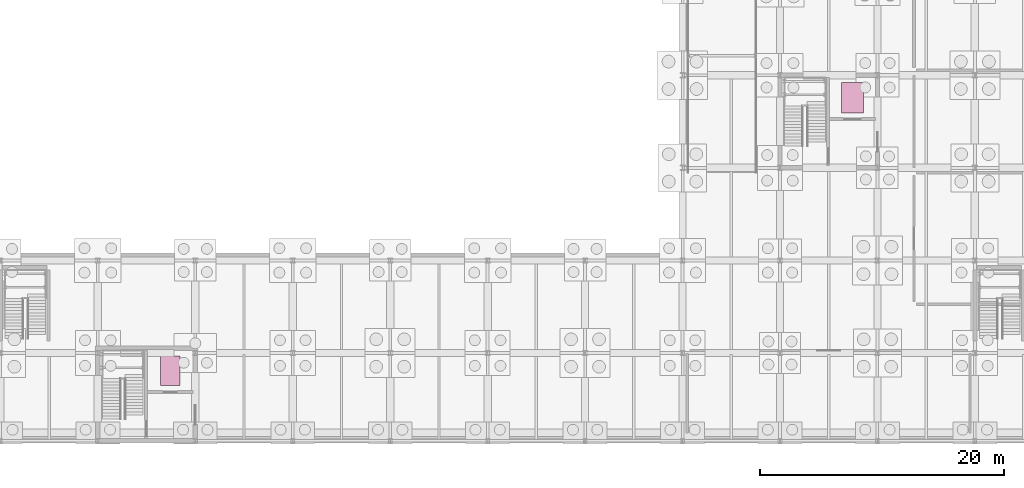
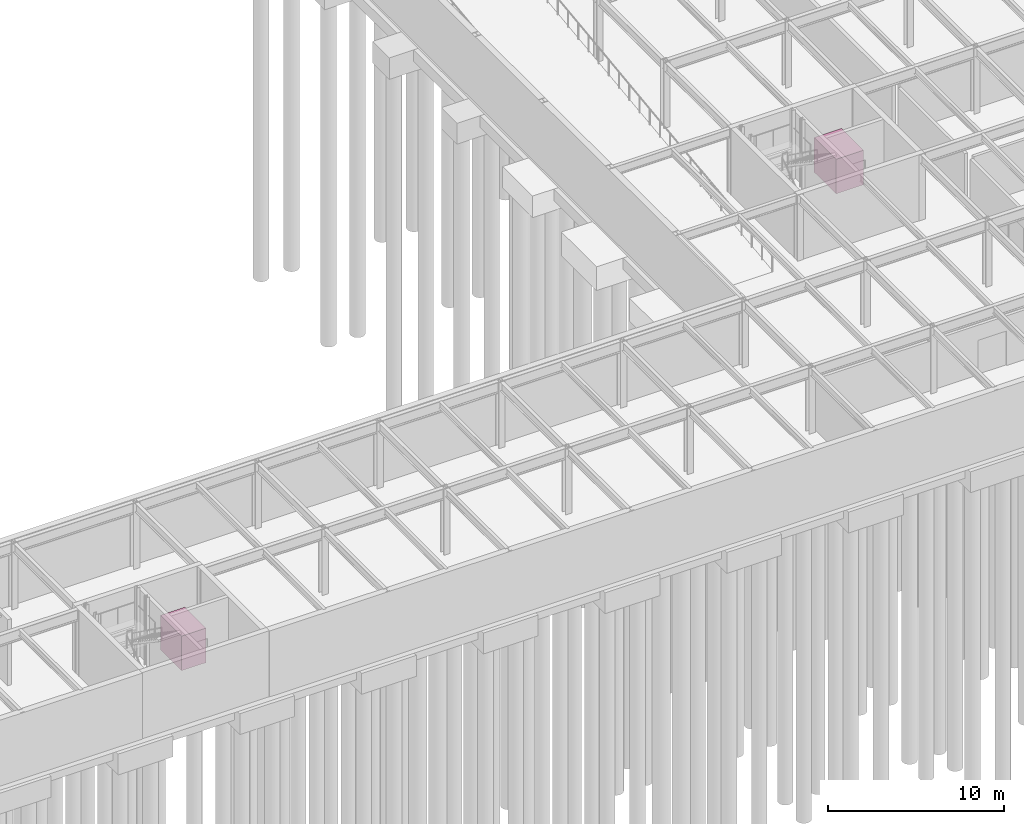
# One storey, part 21 of 21: 2 transport elements.
"""IFC4 building model written with IfcOpenShell, lengths in metres."""

from ifc_helpers import new_model, si_unit, direction, frame, origin, origin_2d, place, context, subcontext, project, spatial, rectangle, extrude, material, type_object, element, save


model = new_model("IFC4")

# Units and contexts
model_context = context("Model", 3, precision=1e-05, world=origin(), true_north=direction((0.0, 1.0)))
body_context = subcontext(model_context, "Body", "Model", "MODEL_VIEW")
ifc_project = project(units=[si_unit("LENGTHUNIT", "METRE"), si_unit("AREAUNIT", "SQUARE_METRE"), si_unit("VOLUMEUNIT", "CUBIC_METRE"), si_unit("PLANEANGLEUNIT", "RADIAN"), si_unit("MASSUNIT", "GRAM", prefix="KILO")], contexts=[model_context])

# Site, building, storey
site_placement = place(None, origin())
site = spatial("IfcSite", under=ifc_project, at=site_placement, CompositionType="ELEMENT")
building_placement = place(site_placement, origin())
building = spatial("IfcBuilding", under=site, at=building_placement, Name="Zulena Civic Courthouse", CompositionType="ELEMENT")
storey_placement = place(building_placement, frame((0.0, 0.0, -4.800048828125)))
storey = spatial("IfcBuildingStorey", under=building, at=storey_placement, Name="B01", CompositionType="ELEMENT", Elevation=-4.800048828125)

# Transport elements
ifc_material = material(Name="Brushed stainless steel AISI 304", Category="steel")
transport_element_type_1 = type_object("IfcTransportElementType", Name="Lift_CustodyGoods_1800x2500", PredefinedType="ELEVATOR", material=ifc_material)
transport_element_1_placement = place(storey_placement, frame((81.949951171875, 74.14990234375, 0.0), z_axis=(0.0, 0.0, 1.0), x_axis=(1.0, 0.0, 0.0)))
element("IfcTransportElement", 1, at=transport_element_1_placement, inside=storey, type_object=transport_element_type_1, Name="Lift CL-02", PredefinedType="ELEVATOR", context=body_context, shape_type="SweptSolid", body=[
    extrude(rectangle(XDim=1.800048828125, YDim=2.5, at=origin_2d()), origin(), (0.0, 0.0, 1.0), 2.39990234375),
])
transport_element_type_2 = type_object("IfcTransportElementType", Name="Lift_Judicial_1600x2400", PredefinedType="ELEVATOR", material=ifc_material)
transport_element_2_placement = place(storey_placement, frame((25.949951171875, 51.75, 0.0), z_axis=(0.0, 0.0, 1.0), x_axis=(1.0, 0.0, 0.0)))
element("IfcTransportElement", 2, at=transport_element_2_placement, inside=storey, type_object=transport_element_type_2, Name="Lift JL-02", PredefinedType="ELEVATOR", context=body_context, shape_type="SweptSolid", body=[
    extrude(rectangle(XDim=1.60009765625, YDim=2.39990234375, at=origin_2d()), origin(), (0.0, 0.0, 1.0), 2.39990234375),
])

save(model, "model.ifc")
